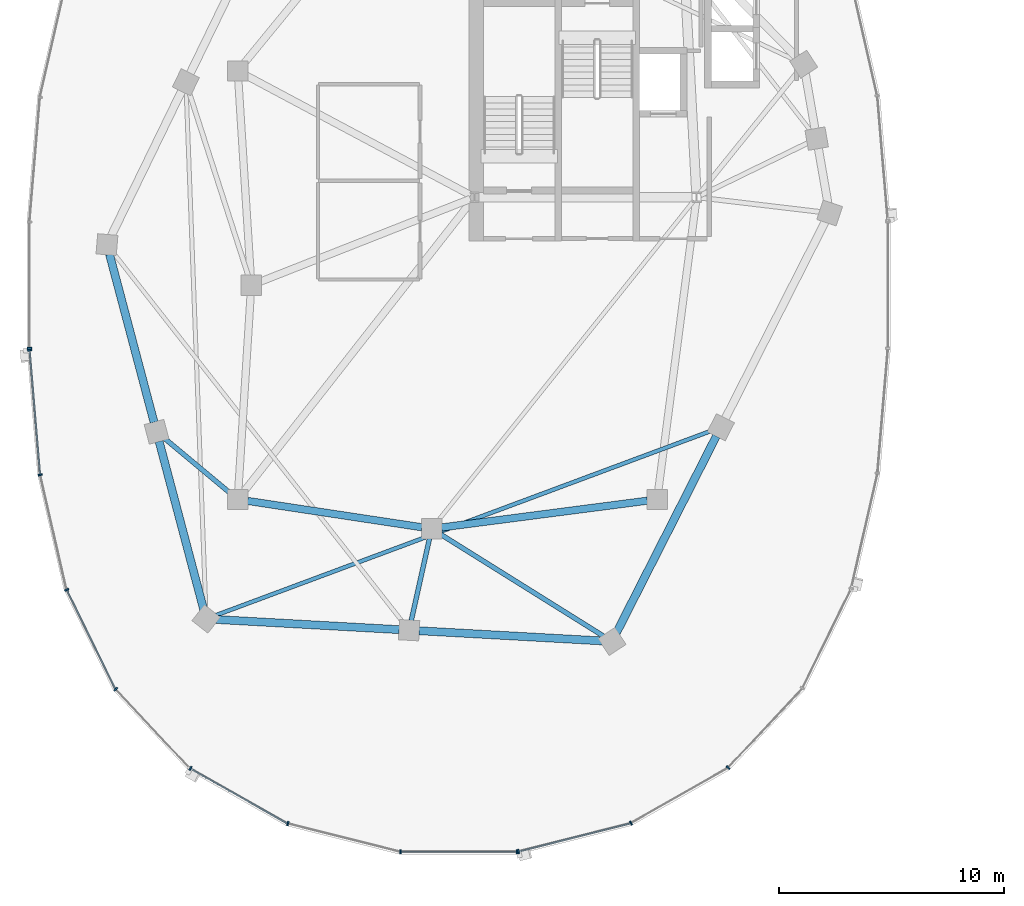
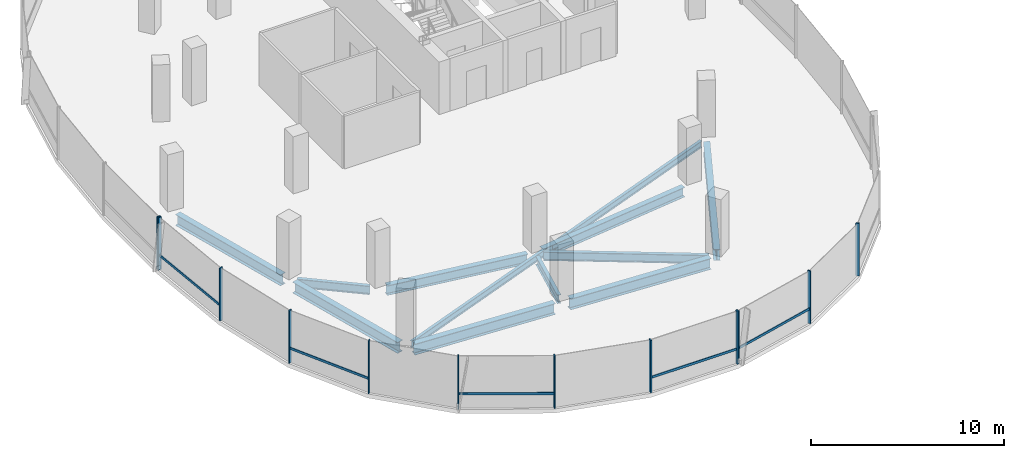
# One storey, part 3 of 24: 17 members, 11 beams, 3 elements without a shape of their own.
"""IFC4 building model written with IfcOpenShell, lengths in metres."""

from ifc_helpers import new_model, si_unit, direction, frame, origin, origin_2d, place, context, subcontext, project, spatial, rectangle, i_section, extrude, material, material_profile, profile_set, type_object, element, aggregate, save


model = new_model("IFC4")

# Units and contexts
model_context = context("Model", 3, precision=1e-05, world=origin(), true_north=direction((0.0, 1.0)))
body_context = subcontext(model_context, "Body", "Model", "MODEL_VIEW")
ifc_project = project(units=[si_unit("LENGTHUNIT", "METRE"), si_unit("AREAUNIT", "SQUARE_METRE"), si_unit("VOLUMEUNIT", "CUBIC_METRE"), si_unit("PLANEANGLEUNIT", "RADIAN"), si_unit("MASSUNIT", "GRAM", prefix="KILO"), si_unit("THERMODYNAMICTEMPERATUREUNIT", "KELVIN"), si_unit("POWERUNIT", "WATT")], contexts=[model_context])

# Site, building, storey
site_placement = place(None, origin())
site = spatial("IfcSite", under=ifc_project, at=site_placement, CompositionType="ELEMENT")
building_placement = place(site_placement, origin())
building = spatial("IfcBuilding", under=site, at=building_placement, Name="Cundina Bronze Exchange", CompositionType="ELEMENT")
storey_placement = place(building_placement, frame((0.0, 0.0, 231.39990234375)))
storey = spatial("IfcBuildingStorey", under=building, at=storey_placement, Name="L61", CompositionType="ELEMENT", Elevation=231.39990234375)

# Beams
ifc_material_1 = material(Name="Steel ASTM A992 Grade 50", Category="steel")
ifc_material_profile_1 = material_profile(ifc_material_1, i_section(OverallWidth=0.2119140625, OverallDepth=0.5439453125, WebThickness=0.01318359375, FlangeThickness=0.021240234375, FilletRadius=0.013916015625, at=origin_2d()), Name="W21X83", Category="steel")
ifc_profile_set_1 = profile_set([ifc_material_profile_1], Name="Steel ASTM A992 Grade 50")
beam_type_1 = type_object("IfcBeamType", Name="BM-FLR-W21A", PredefinedType="BEAM", material=ifc_profile_set_1)
beam_1_placement = place(storey_placement, frame((-42.136474609375, -9.219482421875, -0.531982421875), z_axis=(-0.768247540987, 0.640152884683, 0.0), x_axis=(-0.640152884683, -0.768247540987, 0.0)))
element("IfcBeam", 1, at=beam_1_placement, inside=storey, type_object=beam_type_1, Name="L61 Leg W Radial Floor Beam 09", PredefinedType="BEAM", context=body_context, shape_type="SweptSolid", body=[
    extrude(i_section(OverallWidth=0.2119140625, OverallDepth=0.5439453125, WebThickness=0.01318359375, FlangeThickness=0.021240234375, FilletRadius=0.013916015625, at=origin_2d()), origin(), (0.0, 0.0, 1.0), 3.81005859375),
])
beam_2_placement = place(storey_placement, frame((-33.294921875, -11.2275390625, -0.531982421875), z_axis=(-0.216958151571, -0.976180905605, 0.0), x_axis=(0.976180905605, -0.216958151571, 0.0)))
element("IfcBeam", 2, at=beam_2_placement, inside=storey, type_object=beam_type_1, Name="L61 Leg W Radial Floor Beam 11", PredefinedType="BEAM", context=body_context, shape_type="SweptSolid", body=[
    extrude(i_section(OverallWidth=0.2119140625, OverallDepth=0.5439453125, WebThickness=0.01318359375, FlangeThickness=0.021240234375, FilletRadius=0.013916015625, at=origin_2d()), origin(), (0.0, 0.0, 1.0), 3.733642578125),
])
beam_3_placement = place(storey_placement, frame((-32.82861328125, -11.031982421875, -0.531982421875), z_axis=(0.847995098703, -0.530004068452, 0.0), x_axis=(0.530004068452, 0.847995098703, 0.0)))
element("IfcBeam", 3, at=beam_3_placement, inside=storey, type_object=beam_type_1, Name="L61 Leg W Radial Floor Beam 12", PredefinedType="BEAM", context=body_context, shape_type="SweptSolid", body=[
    extrude(i_section(OverallWidth=0.2119140625, OverallDepth=0.5439453125, WebThickness=0.01318359375, FlangeThickness=0.021240234375, FilletRadius=0.013916015625, at=origin_2d()), origin(), (0.0, 0.0, 1.0), 8.55810546875),
])
ifc_material_profile_2 = material_profile(ifc_material_1, i_section(OverallWidth=0.178955078125, OverallDepth=0.409912109375, WebThickness=0.0087890625, FlangeThickness=0.014404296875, FilletRadius=0.010986328125, at=origin_2d()), Name="W16X45", Category="steel")
ifc_profile_set_2 = profile_set([ifc_material_profile_2], Name="Steel ASTM A992 Grade 50")
beam_type_2 = type_object("IfcBeamType", Name="BM-JST-W16", PredefinedType="JOIST", material=ifc_profile_set_2)
beam_4_placement = place(storey_placement, frame((-42.78955078125, -14.647216796875, -0.46484375), z_axis=(0.937127927239, 0.348986028358, 0.0), x_axis=(-0.348986028358, 0.937127927239, 0.0)))
element("IfcBeam", 4, at=beam_4_placement, inside=storey, type_object=beam_type_2, Name="L61 Leg W Lobe Floor Joist 10-13", PredefinedType="JOIST", context=body_context, shape_type="SweptSolid", body=[
    extrude(i_section(OverallWidth=0.178955078125, OverallDepth=0.409912109375, WebThickness=0.0087890625, FlangeThickness=0.014404296875, FilletRadius=0.010986328125, at=origin_2d()), origin(), (0.0, 0.0, 1.0), 23.48046875),
])
ifc_material_profile_3 = material_profile(ifc_material_1, i_section(OverallWidth=0.324951171875, OverallDepth=0.615966796875, WebThickness=0.013916015625, FlangeThickness=0.021484375, FilletRadius=0.01611328125, at=origin_2d()), Name="W24X117", Category="steel")
ifc_profile_set_3 = profile_set([ifc_material_profile_3], Name="Steel ASTM A992 Grade 50")
beam_type_3 = type_object("IfcBeamType", Name="BM-RING-W24", PredefinedType="USERDEFINED", material=ifc_profile_set_3)
beam_5_placement = place(storey_placement, frame((-41.366943359375, -9.5654296875, -0.56787109375), z_axis=(0.988764903598, -0.149478979839, 0.0), x_axis=(0.149478979839, 0.988764903598, 0.0)))
element("IfcBeam", 5, at=beam_5_placement, inside=storey, type_object=beam_type_3, Name="L61 W Inner Structural Ring Girder 05", ObjectType="GIRDER", PredefinedType="USERDEFINED", context=body_context, shape_type="SweptSolid", body=[
    extrude(i_section(OverallWidth=0.324951171875, OverallDepth=0.615966796875, WebThickness=0.013916015625, FlangeThickness=0.021484375, FilletRadius=0.01611328125, at=origin_2d()), origin(), (0.0, 0.0, 1.0), 7.82177734375),
])
beam_6_placement = place(storey_placement, frame((-32.765625, -10.743408203125, -0.56787109375), z_axis=(0.991656498582, 0.128908451316, 0.0), x_axis=(-0.128908451316, 0.991656498582, 0.0)))
element("IfcBeam", 6, at=beam_6_placement, inside=storey, type_object=beam_type_3, Name="L61 W Inner Structural Ring Girder 06", ObjectType="GIRDER", PredefinedType="USERDEFINED", context=body_context, shape_type="SweptSolid", body=[
    extrude(i_section(OverallWidth=0.324951171875, OverallDepth=0.615966796875, WebThickness=0.013916015625, FlangeThickness=0.021484375, FilletRadius=0.01611328125, at=origin_2d()), origin(), (0.0, 0.0, 1.0), 9.208251953125),
])
ifc_material_profile_4 = material_profile(ifc_material_1, i_section(OverallWidth=0.35498046875, OverallDepth=0.695068359375, WebThickness=0.015380859375, FlangeThickness=0.02490234375, FilletRadius=0.01806640625, at=origin_2d()), Name="W27X146", Category="steel")
ifc_profile_set_4 = profile_set([ifc_material_profile_4], Name="Steel ASTM A992 Grade 50")
beam_type_4 = type_object("IfcBeamType", Name="BM-RING-W27", PredefinedType="USERDEFINED", material=ifc_profile_set_4)
for number, where, z_axis, x_axis, name in (
    (7, (-47.48779296875, 1.376708984375, -0.607421875), (0.256211934474, -0.966620631185, 0.0), (0.966620631185, 0.256211934474, 0.0), "L61 W Perimeter Ring Girder 08"),
    (8, (-45.287841796875, -6.92333984375, -0.607421875), (0.256211934474, -0.966620631185, 0.0), (0.966620631185, 0.256211934474, 0.0), "L61 W Perimeter Ring Girder 09"),
):
    element("IfcBeam", number, at=place(storey_placement, frame(where, z_axis=z_axis, x_axis=x_axis)), inside=storey, type_object=beam_type_4, Name=name, ObjectType="GIRDER", PredefinedType="USERDEFINED", context=body_context, shape_type="SweptSolid", body=[
        extrude(i_section(OverallWidth=0.35498046875, OverallDepth=0.695068359375, WebThickness=0.015380859375, FlangeThickness=0.02490234375, FilletRadius=0.01806640625, at=origin_2d()), origin(), (0.0, 0.0, 1.0), 7.710693359375),
    ])
for number, where, z_axis, x_axis, name in (
    (9, (-42.7626953125, -14.82421875, -0.607421875), (0.998460353205, -0.055470019623, 0.0), (0.055470019623, 0.998460353205, 0.0), "L61 W Perimeter Ring Girder 10"),
    (10, (-33.7626953125, -15.32421875, -0.607421875), (0.998460353205, -0.055470019623, 0.0), (0.055470019623, 0.998460353205, 0.0), "L61 W Perimeter Ring Girder 11"),
):
    element("IfcBeam", number, at=place(storey_placement, frame(where, z_axis=z_axis, x_axis=x_axis)), inside=storey, type_object=beam_type_4, Name=name, ObjectType="GIRDER", PredefinedType="USERDEFINED", context=body_context, shape_type="SweptSolid", body=[
        extrude(i_section(OverallWidth=0.35498046875, OverallDepth=0.695068359375, WebThickness=0.015380859375, FlangeThickness=0.02490234375, FilletRadius=0.01806640625, at=origin_2d()), origin(), (0.0, 0.0, 1.0), 8.137939453125),
    ])
beam_7_placement = place(storey_placement, frame((-25.001708984375, -15.409423828125, -0.607421875), z_axis=(0.452846871434, 0.891588308039, 0.0), x_axis=(-0.891588308039, 0.452846871434, 0.0)))
element("IfcBeam", 11, at=beam_7_placement, inside=storey, type_object=beam_type_4, Name="L61 W Perimeter Ring Girder 12", ObjectType="GIRDER", PredefinedType="USERDEFINED", context=body_context, shape_type="SweptSolid", body=[
    extrude(i_section(OverallWidth=0.35498046875, OverallDepth=0.695068359375, WebThickness=0.015380859375, FlangeThickness=0.02490234375, FilletRadius=0.01806640625, at=origin_2d()), origin(), (0.0, 0.0, 1.0), 9.779052734375),
])

# Curtain wall, member
ifc_material_2 = material(Name="Anodised Bronze Aluminium 6063-T6", Category="aluminium")
curtain_wall_type = type_object("IfcCurtainWallType", Name="CWS-UPP-OFF", PredefinedType="NOTDEFINED", material=ifc_material_2)
curtain_wall_1_placement = place(storey_placement, origin())
curtain_wall_1 = element("IfcCurtainWall", 12, at=curtain_wall_1_placement, inside=storey, type_object=curtain_wall_type, Name="L61 CW-05 Curtain Wall Run CWR-L61-W2", PredefinedType="NOTDEFINED")
ifc_material_profile_5 = material_profile(ifc_material_2, rectangle(XDim=0.070068359375, YDim=0.18994140625, at=origin_2d()), Name="AL70X190", Category="aluminium")
ifc_profile_set_5 = profile_set([ifc_material_profile_5], Name="Anodised Bronze Aluminium 6063-T6")
member_type_1 = type_object("IfcMemberType", Name="CWM-MUL-190", PredefinedType="MULLION", material=ifc_profile_set_5)
member_1_placement = place(storey_placement, frame((-51.033935546875, -2.794921875, 0.0), z_axis=(0.0, 0.0, 1.0), x_axis=(0.0, -1.0, 0.0)))
member_1 = element("IfcMember", 13, at=member_1_placement, type_object=member_type_1, Name="CW-05 End Mullion", PredefinedType="MULLION", context=body_context, shape_type="SweptSolid", body=[
    extrude(rectangle(XDim=0.070068359375, YDim=0.18994140625, at=origin_2d()), origin(), (0.0, 0.0, 1.0), 3.320068359375),
])
aggregate(curtain_wall_1, [member_1])

# Curtain wall, members
curtain_wall_2_placement = place(storey_placement, origin())
curtain_wall_2 = element("IfcCurtainWall", 14, at=curtain_wall_2_placement, inside=storey, type_object=curtain_wall_type, Name="L61 CW-05 Curtain Wall Run CWR-L61-W3", PredefinedType="NOTDEFINED")
member_2_placement = place(storey_placement, frame((-51.0302734375, -2.88330078125, 0.0), z_axis=(0.0, 0.0, 1.0), x_axis=(0.083677843332, -0.99649285925, 0.0)))
member_2 = element("IfcMember", 15, at=member_2_placement, type_object=member_type_1, Name="CW-05 Mullion 1", PredefinedType="MULLION", context=body_context, shape_type="SweptSolid", body=[
    extrude(rectangle(XDim=0.070068359375, YDim=0.18994140625, at=origin_2d()), origin(), (0.0, 0.0, 1.0), 3.320068359375),
])
member_3_placement = place(storey_placement, frame((-50.56005859375, -8.4111328125, 0.0), z_axis=(0.0, 0.0, 1.0), x_axis=(0.223250116011, -0.974761194191, 0.0)))
member_3 = element("IfcMember", 16, at=member_3_placement, type_object=member_type_1, Name="CW-05 Mullion 2", PredefinedType="MULLION", context=body_context, shape_type="SweptSolid", body=[
    extrude(rectangle(XDim=0.070068359375, YDim=0.18994140625, at=origin_2d()), origin(), (0.0, 0.0, 1.0), 3.320068359375),
])
member_4_placement = place(storey_placement, frame((-49.38427734375, -13.50732421875, 0.0), z_axis=(0.0, 0.0, 1.0), x_axis=(0.440566004113, -0.897720221461, 0.0)))
member_4 = element("IfcMember", 17, at=member_4_placement, type_object=member_type_1, Name="CW-05 Mullion 3", PredefinedType="MULLION", context=body_context, shape_type="SweptSolid", body=[
    extrude(rectangle(XDim=0.070068359375, YDim=0.18994140625, at=origin_2d()), origin(), (0.0, 0.0, 1.0), 3.320068359375),
])
member_5_placement = place(storey_placement, frame((-47.209716796875, -17.91796875, 0.0), z_axis=(0.0, 0.0, 1.0), x_axis=(0.684292606175, -0.729207535023, 0.0)))
member_5 = element("IfcMember", 18, at=member_5_placement, type_object=member_type_1, Name="CW-05 Mullion 4", PredefinedType="MULLION", context=body_context, shape_type="SweptSolid", body=[
    extrude(rectangle(XDim=0.070068359375, YDim=0.18994140625, at=origin_2d()), origin(), (0.0, 0.0, 1.0), 3.320068359375),
])
member_6_placement = place(storey_placement, frame((-43.899658203125, -21.43115234375, 0.0), z_axis=(0.0, 0.0, 1.0), x_axis=(0.86958112538, -0.493790103568, 0.0)))
member_6 = element("IfcMember", 19, at=member_6_placement, type_object=member_type_1, Name="CW-05 Mullion 5", PredefinedType="MULLION", context=body_context, shape_type="SweptSolid", body=[
    extrude(rectangle(XDim=0.070068359375, YDim=0.18994140625, at=origin_2d()), origin(), (0.0, 0.0, 1.0), 3.320068359375),
])
member_7_placement = place(storey_placement, frame((-39.577392578125, -23.87548828125, 0.0), z_axis=(0.0, 0.0, 1.0), x_axis=(0.969744325821, -0.244122802168, 0.0)))
member_7 = element("IfcMember", 20, at=member_7_placement, type_object=member_type_1, Name="CW-05 Mullion 6", PredefinedType="MULLION", context=body_context, shape_type="SweptSolid", body=[
    extrude(rectangle(XDim=0.070068359375, YDim=0.18994140625, at=origin_2d()), origin(), (0.0, 0.0, 1.0), 3.320068359375),
])
member_8_placement = place(storey_placement, frame((-34.580078125, -25.125, 0.0), z_axis=(0.0, 0.0, 1.0), x_axis=(1.0, 0.0, 0.0)))
member_8 = element("IfcMember", 21, at=member_8_placement, type_object=member_type_1, Name="CW-05 Mullion 7", PredefinedType="MULLION", context=body_context, shape_type="SweptSolid", body=[
    extrude(rectangle(XDim=0.070068359375, YDim=0.18994140625, at=origin_2d()), origin(), (0.0, 0.0, 1.0), 3.320068359375),
])
member_9_placement = place(storey_placement, frame((-29.419921875, -25.125, 0.0), z_axis=(0.0, 0.0, 1.0), x_axis=(1.0, 0.0, 0.0)))
member_9 = element("IfcMember", 22, at=member_9_placement, type_object=member_type_1, Name="CW-05 End Mullion", PredefinedType="MULLION", context=body_context, shape_type="SweptSolid", body=[
    extrude(rectangle(XDim=0.070068359375, YDim=0.18994140625, at=origin_2d()), origin(), (0.0, 0.0, 1.0), 3.320068359375),
])

curtain_wall_3_placement = place(storey_placement, origin())
curtain_wall_3 = element("IfcCurtainWall", 23, at=curtain_wall_3_placement, inside=storey, type_object=curtain_wall_type, Name="L61 CW-05 Curtain Wall Run CWR-L61-W4", PredefinedType="NOTDEFINED")
member_10_placement = place(storey_placement, frame((-29.3515625, -25.116455078125, 0.0), z_axis=(0.0, 0.0, 1.0), x_axis=(0.969744325821, 0.244122802168, 0.0)))
member_10 = element("IfcMember", 24, at=member_10_placement, type_object=member_type_1, Name="CW-05 Mullion 1", PredefinedType="MULLION", context=body_context, shape_type="SweptSolid", body=[
    extrude(rectangle(XDim=0.070068359375, YDim=0.18994140625, at=origin_2d()), origin(), (0.0, 0.0, 1.0), 3.320068359375),
])
member_11_placement = place(storey_placement, frame((-24.361083984375, -23.850830078125, 0.0), z_axis=(0.0, 0.0, 1.0), x_axis=(0.86958112538, 0.493790103568, 0.0)))
member_11 = element("IfcMember", 25, at=member_11_placement, type_object=member_type_1, Name="CW-05 Mullion 2", PredefinedType="MULLION", context=body_context, shape_type="SweptSolid", body=[
    extrude(rectangle(XDim=0.070068359375, YDim=0.18994140625, at=origin_2d()), origin(), (0.0, 0.0, 1.0), 3.320068359375),
])
member_12_placement = place(storey_placement, frame((-20.05126953125, -21.392578125, 0.0), z_axis=(0.0, 0.0, 1.0), x_axis=(0.684292606175, 0.729207535023, 0.0)))
member_12 = element("IfcMember", 26, at=member_12_placement, type_object=member_type_1, Name="CW-05 Mullion 3", PredefinedType="MULLION", context=body_context, shape_type="SweptSolid", body=[
    extrude(rectangle(XDim=0.070068359375, YDim=0.18994140625, at=origin_2d()), origin(), (0.0, 0.0, 1.0), 3.320068359375),
])

# Member
ifc_material_profile_6 = material_profile(ifc_material_2, rectangle(XDim=0.06494140625, YDim=0.14990234375, at=origin_2d()), Name="AL65X150", Category="aluminium")
ifc_profile_set_6 = profile_set([ifc_material_profile_6], Name="Anodised Bronze Aluminium 6063-T6")
member_type_2 = type_object("IfcMemberType", Name="CWM-TRN-150", PredefinedType="USERDEFINED", material=ifc_profile_set_6)
member_13_placement = place(storey_placement, frame((-51.027099609375, -2.921630859375, 0.920166015625), z_axis=(0.083740331158, -0.996487610027, 0.0), x_axis=(0.996487610027, 0.083740331158, 0.0)))
member_13 = element("IfcMember", 27, at=member_13_placement, type_object=member_type_2, Name="CW-05 Spandrel Transom 1", ObjectType="TRANSOM", PredefinedType="USERDEFINED", context=body_context, shape_type="SweptSolid", body=[
    extrude(rectangle(XDim=0.06494140625, YDim=0.14990234375, at=origin_2d()), origin(), (0.0, 0.0, 1.0), 5.466552734375),
])

member_14_placement = place(storey_placement, frame((-49.3671875, -13.5419921875, 0.920166015625), z_axis=(0.440483110889, -0.897760897467, 0.0), x_axis=(0.897760897467, 0.440483110889, 0.0)))
member_14 = element("IfcMember", 28, at=member_14_placement, type_object=member_type_2, Name="CW-05 Spandrel Transom 3", ObjectType="TRANSOM", PredefinedType="USERDEFINED", context=body_context, shape_type="SweptSolid", body=[
    extrude(rectangle(XDim=0.06494140625, YDim=0.14990234375, at=origin_2d()), origin(), (0.0, 0.0, 1.0), 4.855224609375),
])

member_15_placement = place(storey_placement, frame((-43.8662109375, -21.4501953125, 0.920166015625), z_axis=(0.869573748083, -0.493803095013, 0.0), x_axis=(0.493803095013, 0.869573748083, 0.0)))
member_15 = element("IfcMember", 29, at=member_15_placement, type_object=member_type_2, Name="CW-05 Spandrel Transom 5", ObjectType="TRANSOM", PredefinedType="USERDEFINED", context=body_context, shape_type="SweptSolid", body=[
    extrude(rectangle(XDim=0.06494140625, YDim=0.14990234375, at=origin_2d()), origin(), (0.0, 0.0, 1.0), 4.900146484375),
])

member_16_placement = place(storey_placement, frame((-34.54150390625, -25.125, 0.920166015625), z_axis=(1.0, 0.0, 0.0), x_axis=(0.0, 1.0, 0.0)))
member_16 = element("IfcMember", 30, at=member_16_placement, type_object=member_type_2, Name="CW-05 Spandrel Transom 7", ObjectType="TRANSOM", PredefinedType="USERDEFINED", context=body_context, shape_type="SweptSolid", body=[
    extrude(rectangle(XDim=0.06494140625, YDim=0.14990234375, at=origin_2d()), origin(), (0.0, 0.0, 1.0), 5.0830078125),
])

aggregate(curtain_wall_2, [member_2, member_13, member_3, member_4, member_14, member_5, member_6, member_15, member_7, member_8, member_9, member_16])

member_17_placement = place(storey_placement, frame((-29.314208984375, -25.107177734375, 0.920166015625), z_axis=(0.969725738797, 0.244196624699, 0.0), x_axis=(-0.244196624699, 0.969725738797, 0.0)))
member_17 = element("IfcMember", 31, at=member_17_placement, type_object=member_type_2, Name="CW-05 Spandrel Transom 1", ObjectType="TRANSOM", PredefinedType="USERDEFINED", context=body_context, shape_type="SweptSolid", body=[
    extrude(rectangle(XDim=0.06494140625, YDim=0.14990234375, at=origin_2d()), origin(), (0.0, 0.0, 1.0), 5.082763671875),
])

aggregate(curtain_wall_3, [member_10, member_17, member_11, member_12])

save(model, "model.ifc")
